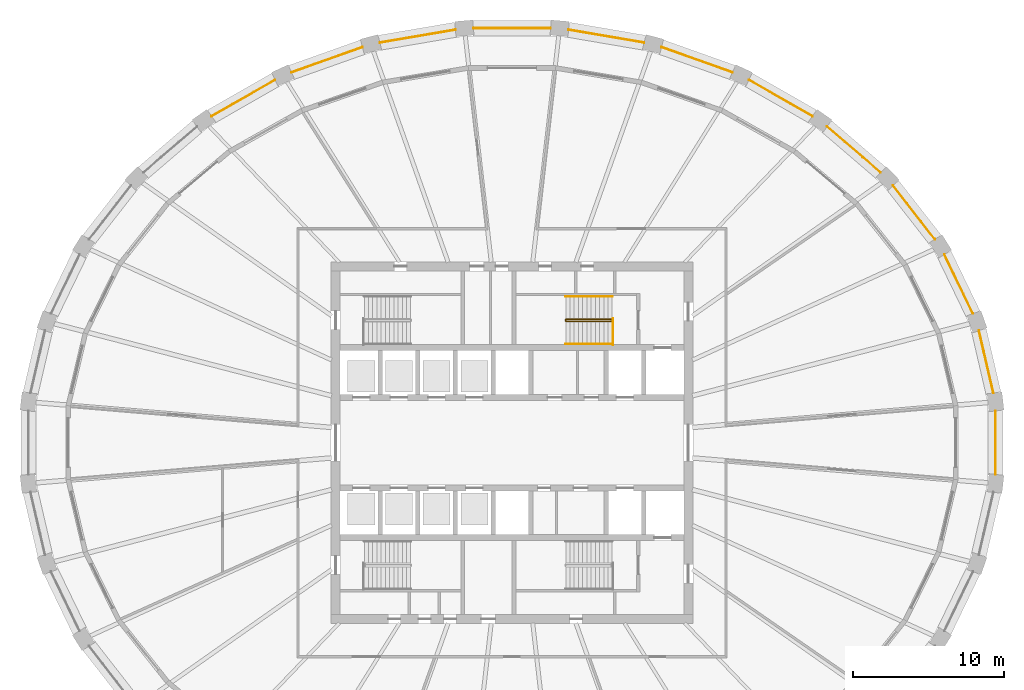
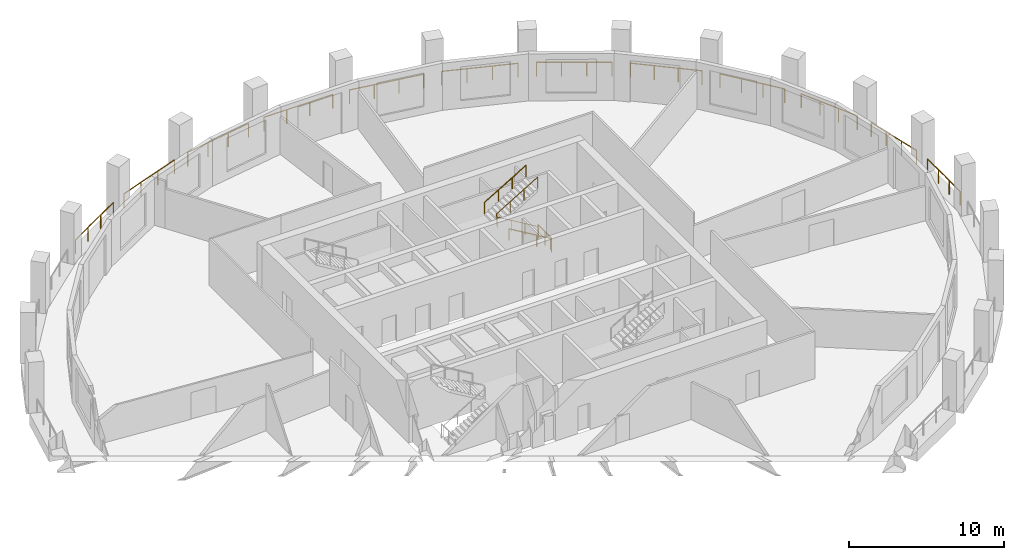
# One storey, part 9 of 10: 16 railings.
"""IFC4 building model written with IfcOpenShell, lengths in metres."""

from ifc_helpers import new_model, si_unit, direction, frame, origin, origin_2d, place, context, subcontext, project, spatial, circle, extrude, material, type_object, element, save


model = new_model("IFC4")

# Units and contexts
model_context = context("Model", 3, precision=1e-05, world=origin(), true_north=direction((0.0, 1.0)))
body_context = subcontext(model_context, "Body", "Model", "MODEL_VIEW")
ifc_project = project(units=[si_unit("LENGTHUNIT", "METRE"), si_unit("AREAUNIT", "SQUARE_METRE"), si_unit("VOLUMEUNIT", "CUBIC_METRE"), si_unit("PLANEANGLEUNIT", "RADIAN"), si_unit("MASSUNIT", "GRAM", prefix="KILO")], contexts=[model_context])

# Site, building, storey
site_placement = place(None, origin())
site = spatial("IfcSite", under=ifc_project, at=site_placement, CompositionType="ELEMENT")
building_placement = place(site_placement, origin())
building = spatial("IfcBuilding", under=site, at=building_placement, Name="Halqa Exchange Tower", CompositionType="ELEMENT")
storey_placement = place(building_placement, frame((0.0, 0.0, 206.89990234375)))
storey = spatial("IfcBuildingStorey", under=building, at=storey_placement, Name="L47", CompositionType="ELEMENT", Elevation=206.89990234375)

# Railings
ifc_material = material(Name="Stainless steel", Category="steel")
railing_type_1 = type_object("IfcRailingType", Name="Guard 1100 stainless steel", PredefinedType="GUARDRAIL", material=ifc_material)
railing_1_placement = place(storey_placement, frame((31.946044921875, 3.29296875, 0.0)))
element("IfcRailing", 1, at=railing_1_placement, inside=storey, type_object=railing_type_1, Name="Loggia guard 1", PredefinedType="GUARDRAIL", context=body_context, shape_type="SweptSolid", body=[
    extrude(circle(Radius=0.02392578125, at=origin_2d()), frame((0.0, 0.0, 1.076171875), z_axis=(-0.226079136725, 0.974108938434, 0.0), x_axis=(-0.974108938434, -0.226079136725, 0.0)), (0.0, 0.0, 1.0), 4.253662109375),
    extrude(circle(Radius=0.02099609375, at=origin_2d()), origin(), (0.0, 0.0, 1.0), 1.052001953125),
    extrude(circle(Radius=0.02099609375, at=origin_2d()), frame((-0.320556640625, 1.381103515625, 0.0)), (0.0, 0.0, 1.0), 1.052001953125),
    extrude(circle(Radius=0.02099609375, at=origin_2d()), frame((-0.64111328125, 2.762451171875, 0.0)), (0.0, 0.0, 1.0), 1.052001953125),
    extrude(circle(Radius=0.02099609375, at=origin_2d()), frame((-0.961669921875, 4.1435546875, 0.0)), (0.0, 0.0, 1.0), 1.052001953125),
])
railing_2_placement = place(storey_placement, frame((30.587646484375, 8.561279296875, 0.0)))
element("IfcRailing", 2, at=railing_2_placement, inside=storey, type_object=railing_type_1, Name="Loggia guard 2", PredefinedType="GUARDRAIL", context=body_context, shape_type="SweptSolid", body=[
    extrude(circle(Radius=0.02392578125, at=origin_2d()), frame((0.0, 0.0, 1.076171875), z_axis=(-0.435117192418, 0.900373827287, 0.0), x_axis=(-0.900373827287, -0.435117192418, 0.0)), (0.0, 0.0, 1.0), 4.35791015625),
    extrude(circle(Radius=0.02099609375, at=origin_2d()), origin(), (0.0, 0.0, 1.0), 1.052001953125),
    extrude(circle(Radius=0.02099609375, at=origin_2d()), frame((-0.632080078125, 1.307861328125, 0.0)), (0.0, 0.0, 1.0), 1.052001953125),
    extrude(circle(Radius=0.02099609375, at=origin_2d()), frame((-1.26416015625, 2.615966796875, 0.0)), (0.0, 0.0, 1.0), 1.052001953125),
    extrude(circle(Radius=0.02099609375, at=origin_2d()), frame((-1.896240234375, 3.923828125, 0.0)), (0.0, 0.0, 1.0), 1.052001953125),
])
railing_3_placement = place(storey_placement, frame((28.061279296875, 13.49853515625, 0.0)))
element("IfcRailing", 3, at=railing_3_placement, inside=storey, type_object=railing_type_1, Name="Loggia guard 3", PredefinedType="GUARDRAIL", context=body_context, shape_type="SweptSolid", body=[
    extrude(circle(Radius=0.02392578125, at=origin_2d()), frame((0.0, 0.0, 1.076171875), z_axis=(-0.614783407659, 0.788695988114, 0.0), x_axis=(-0.788695988114, -0.614783407659, 0.0)), (0.0, 0.0, 1.0), 4.510498046875),
    extrude(circle(Radius=0.02099609375, at=origin_2d()), origin(), (0.0, 0.0, 1.0), 1.052001953125),
    extrude(circle(Radius=0.02099609375, at=origin_2d()), frame((-0.92431640625, 1.185791015625, 0.0)), (0.0, 0.0, 1.0), 1.052001953125),
    extrude(circle(Radius=0.02099609375, at=origin_2d()), frame((-1.8486328125, 2.37158203125, 0.0)), (0.0, 0.0, 1.0), 1.052001953125),
    extrude(circle(Radius=0.02099609375, at=origin_2d()), frame((-2.77294921875, 3.557373046875, 0.0)), (0.0, 0.0, 1.0), 1.052001953125),
])
railing_4_placement = place(storey_placement, frame((24.4638671875, 17.919677734375, 0.0)))
element("IfcRailing", 4, at=railing_4_placement, inside=storey, type_object=railing_type_1, Name="Loggia guard 4", PredefinedType="GUARDRAIL", context=body_context, shape_type="SweptSolid", body=[
    extrude(circle(Radius=0.02392578125, at=origin_2d()), frame((0.0, 0.0, 1.076171875), z_axis=(-0.759241889785, 0.65080853774, 0.0), x_axis=(-0.65080853774, -0.759241889785, 0.0)), (0.0, 0.0, 1.0), 4.685546875),
    extrude(circle(Radius=0.02099609375, at=origin_2d()), origin(), (0.0, 0.0, 1.0), 1.052001953125),
    extrude(circle(Radius=0.02099609375, at=origin_2d()), frame((-1.185791015625, 1.016357421875, 0.0)), (0.0, 0.0, 1.0), 1.052001953125),
    extrude(circle(Radius=0.02099609375, at=origin_2d()), frame((-2.37158203125, 2.032958984375, 0.0)), (0.0, 0.0, 1.0), 1.052001953125),
    extrude(circle(Radius=0.02099609375, at=origin_2d()), frame((-3.557373046875, 3.04931640625, 0.0)), (0.0, 0.0, 1.0), 1.052001953125),
])
railing_5_placement = place(storey_placement, frame((19.93017578125, 21.65771484375, 0.0)))
element("IfcRailing", 5, at=railing_5_placement, inside=storey, type_object=railing_type_1, Name="Loggia guard 5", PredefinedType="GUARDRAIL", context=body_context, shape_type="SweptSolid", body=[
    extrude(circle(Radius=0.02392578125, at=origin_2d()), frame((0.0, 0.0, 1.076171875), z_axis=(-0.867769293608, 0.496967255533, 0.0), x_axis=(-0.496967255533, -0.867769293608, 0.0)), (0.0, 0.0, 1.0), 4.855224609375),
    extrude(circle(Radius=0.02099609375, at=origin_2d()), origin(), (0.0, 0.0, 1.0), 1.052001953125),
    extrude(circle(Radius=0.02099609375, at=origin_2d()), frame((-1.404296875, 0.80419921875, 0.0)), (0.0, 0.0, 1.0), 1.052001953125),
    extrude(circle(Radius=0.02099609375, at=origin_2d()), frame((-2.808837890625, 1.608642578125, 0.0)), (0.0, 0.0, 1.0), 1.052001953125),
    extrude(circle(Radius=0.02099609375, at=origin_2d()), frame((-4.213134765625, 2.412841796875, 0.0)), (0.0, 0.0, 1.0), 1.052001953125),
])
railing_6_placement = place(storey_placement, frame((14.630859375, 24.569580078125, 0.0)))
element("IfcRailing", 6, at=railing_6_placement, inside=storey, type_object=railing_type_1, Name="Loggia guard 6", PredefinedType="GUARDRAIL", context=body_context, shape_type="SweptSolid", body=[
    extrude(circle(Radius=0.02392578125, at=origin_2d()), frame((0.0, 0.0, 1.076171875), z_axis=(-0.942371589738, 0.334568060123, 0.0), x_axis=(-0.334568060123, -0.942371589738, 0.0)), (0.0, 0.0, 1.0), 4.99560546875),
    extrude(circle(Radius=0.02099609375, at=origin_2d()), origin(), (0.0, 0.0, 1.0), 1.052001953125),
    extrude(circle(Radius=0.02099609375, at=origin_2d()), frame((-1.5693359375, 0.55712890625, 0.0)), (0.0, 0.0, 1.0), 1.052001953125),
    extrude(circle(Radius=0.02099609375, at=origin_2d()), frame((-3.138427734375, 1.1142578125, 0.0)), (0.0, 0.0, 1.0), 1.052001953125),
    extrude(circle(Radius=0.02099609375, at=origin_2d()), frame((-4.707763671875, 1.67138671875, 0.0)), (0.0, 0.0, 1.0), 1.052001953125),
])
railing_7_placement = place(storey_placement, frame((8.766357421875, 26.54248046875, 0.0)))
element("IfcRailing", 7, at=railing_7_placement, inside=storey, type_object=railing_type_1, Name="Loggia guard 7", PredefinedType="GUARDRAIL", context=body_context, shape_type="SweptSolid", body=[
    extrude(circle(Radius=0.02392578125, at=origin_2d()), frame((0.0, 0.0, 1.076171875), z_axis=(-0.985769609588, 0.16810198337, 0.0), x_axis=(-0.16810198337, -0.985769609588, 0.0)), (0.0, 0.0, 1.0), 5.087646484375),
    extrude(circle(Radius=0.02099609375, at=origin_2d()), origin(), (0.0, 0.0, 1.0), 1.052001953125),
    extrude(circle(Radius=0.02099609375, at=origin_2d()), frame((-1.671630859375, 0.28515625, 0.0)), (0.0, 0.0, 1.0), 1.052001953125),
    extrude(circle(Radius=0.02099609375, at=origin_2d()), frame((-3.343505859375, 0.570068359375, 0.0)), (0.0, 0.0, 1.0), 1.052001953125),
    extrude(circle(Radius=0.02099609375, at=origin_2d()), frame((-5.01513671875, 0.855224609375, 0.0)), (0.0, 0.0, 1.0), 1.052001953125),
])
railing_8_placement = place(storey_placement, frame((2.559814453125, 27.498291015625, 0.0)))
element("IfcRailing", 8, at=railing_8_placement, inside=storey, type_object=railing_type_1, Name="Loggia guard 8", PredefinedType="GUARDRAIL", context=body_context, shape_type="SweptSolid", body=[
    extrude(circle(Radius=0.02392578125, at=origin_2d()), frame((0.0, 0.0, 1.076171875), z_axis=(-1.0, 0.0, 0.0), x_axis=(0.0, -1.0, 0.0)), (0.0, 0.0, 1.0), 5.11962890625),
    extrude(circle(Radius=0.02099609375, at=origin_2d()), origin(), (0.0, 0.0, 1.0), 1.052001953125),
    extrude(circle(Radius=0.02099609375, at=origin_2d()), frame((-1.70654296875, 0.0, 0.0)), (0.0, 0.0, 1.0), 1.052001953125),
    extrude(circle(Radius=0.02099609375, at=origin_2d()), frame((-3.4130859375, 0.0, 0.0)), (0.0, 0.0, 1.0), 1.052001953125),
    extrude(circle(Radius=0.02099609375, at=origin_2d()), frame((-5.11962890625, 0.0, 0.0)), (0.0, 0.0, 1.0), 1.052001953125),
])
railing_9_placement = place(storey_placement, frame((-3.751220703125, 27.397705078125, 0.0)))
element("IfcRailing", 9, at=railing_9_placement, inside=storey, type_object=railing_type_1, Name="Loggia guard 9", PredefinedType="GUARDRAIL", context=body_context, shape_type="SweptSolid", body=[
    extrude(circle(Radius=0.02392578125, at=origin_2d()), frame((0.0, 0.0, 1.076171875), z_axis=(-0.985769609588, -0.16810198337, 0.0), x_axis=(0.16810198337, -0.985769609588, 0.0)), (0.0, 0.0, 1.0), 5.087646484375),
    extrude(circle(Radius=0.02099609375, at=origin_2d()), origin(), (0.0, 0.0, 1.0), 1.052001953125),
    extrude(circle(Radius=0.02099609375, at=origin_2d()), frame((-1.671630859375, -0.28515625, 0.0)), (0.0, 0.0, 1.0), 1.052001953125),
    extrude(circle(Radius=0.02099609375, at=origin_2d()), frame((-3.343505859375, -0.570068359375, 0.0)), (0.0, 0.0, 1.0), 1.052001953125),
    extrude(circle(Radius=0.02099609375, at=origin_2d()), frame((-5.01513671875, -0.855224609375, 0.0)), (0.0, 0.0, 1.0), 1.052001953125),
])
railing_10_placement = place(storey_placement, frame((-9.923095703125, 26.240966796875, 0.0)))
element("IfcRailing", 10, at=railing_10_placement, inside=storey, type_object=railing_type_1, Name="Loggia guard 10", PredefinedType="GUARDRAIL", context=body_context, shape_type="SweptSolid", body=[
    extrude(circle(Radius=0.02392578125, at=origin_2d()), frame((0.0, 0.0, 1.076171875), z_axis=(-0.942371589738, -0.334568060123, 0.0), x_axis=(0.334568060123, -0.942371589738, 0.0)), (0.0, 0.0, 1.0), 4.99560546875),
    extrude(circle(Radius=0.02099609375, at=origin_2d()), origin(), (0.0, 0.0, 1.0), 1.052001953125),
    extrude(circle(Radius=0.02099609375, at=origin_2d()), frame((-1.5693359375, -0.55712890625, 0.0)), (0.0, 0.0, 1.0), 1.052001953125),
    extrude(circle(Radius=0.02099609375, at=origin_2d()), frame((-3.138427734375, -1.1142578125, 0.0)), (0.0, 0.0, 1.0), 1.052001953125),
    extrude(circle(Radius=0.02099609375, at=origin_2d()), frame((-4.707763671875, -1.67138671875, 0.0)), (0.0, 0.0, 1.0), 1.052001953125),
])
railing_11_placement = place(storey_placement, frame((-15.717041015625, 24.070556640625, 0.0)))
element("IfcRailing", 11, at=railing_11_placement, inside=storey, type_object=railing_type_1, Name="Loggia guard 11", PredefinedType="GUARDRAIL", context=body_context, shape_type="SweptSolid", body=[
    extrude(circle(Radius=0.02392578125, at=origin_2d()), frame((0.0, 0.0, 1.076171875), z_axis=(-0.867769293608, -0.496967255533, 0.0), x_axis=(0.496967255533, -0.867769293608, 0.0)), (0.0, 0.0, 1.0), 4.855224609375),
    extrude(circle(Radius=0.02099609375, at=origin_2d()), origin(), (0.0, 0.0, 1.0), 1.052001953125),
    extrude(circle(Radius=0.02099609375, at=origin_2d()), frame((-1.404296875, -0.80419921875, 0.0)), (0.0, 0.0, 1.0), 1.052001953125),
    extrude(circle(Radius=0.02099609375, at=origin_2d()), frame((-2.808837890625, -1.608642578125, 0.0)), (0.0, 0.0, 1.0), 1.052001953125),
    extrude(circle(Radius=0.02099609375, at=origin_2d()), frame((-4.213134765625, -2.412841796875, 0.0)), (0.0, 0.0, 1.0), 1.052001953125),
])
railing_12_placement = place(storey_placement, frame((32.08154296875, -2.1083984375, 0.0)))
element("IfcRailing", 12, at=railing_12_placement, inside=storey, type_object=railing_type_1, Name="Loggia guard 32", PredefinedType="GUARDRAIL", context=body_context, shape_type="SweptSolid", body=[
    extrude(circle(Radius=0.02392578125, at=origin_2d()), frame((0.0, 0.0, 1.076171875), z_axis=(0.0, 1.0, 0.0), x_axis=(-1.0, 0.0, 0.0)), (0.0, 0.0, 1.0), 4.216796875),
    extrude(circle(Radius=0.02099609375, at=origin_2d()), origin(), (0.0, 0.0, 1.0), 1.052001953125),
    extrude(circle(Radius=0.02099609375, at=origin_2d()), frame((0.0, 1.405517578125, 0.0)), (0.0, 0.0, 1.0), 1.052001953125),
    extrude(circle(Radius=0.02099609375, at=origin_2d()), frame((0.0, 2.811279296875, 0.0)), (0.0, 0.0, 1.0), 1.052001953125),
    extrude(circle(Radius=0.02099609375, at=origin_2d()), frame((0.0, 4.216796875, 0.0)), (0.0, 0.0, 1.0), 1.052001953125),
])
railing_type_2 = type_object("IfcRailingType", Name="Stair handrail 900", PredefinedType="HANDRAIL", material=ifc_material)
railing_13_placement = place(storey_placement, frame((6.64990234375, 8.06005859375, 0.166748046875)))
element("IfcRailing", 13, at=railing_13_placement, inside=storey, type_object=railing_type_2, Name="Handrail ST2.1", PredefinedType="HANDRAIL", context=body_context, shape_type="SweptSolid", body=[
    extrude(circle(Radius=0.02392578125, at=origin_2d()), frame((0.0, 0.0, 0.8759765625), z_axis=(-0.859290745958, 0.0, 0.51148745235), x_axis=(0.0, -1.0, 0.0)), (0.0, 0.0, 1.0), 3.584228515625),
    extrude(circle(Radius=0.02392578125, at=origin_2d()), frame((-3.079833984375, 0.0, 2.708984375), z_axis=(0.0, 0.614500226555, 0.788916644243), x_axis=(-1.0, 0.0, 0.0)), (0.0, 0.0, 1.0), 0.21142578125),
    extrude(circle(Radius=0.02392578125, at=origin_2d()), frame((-3.079833984375, 0.1298828125, 2.8759765625), z_axis=(0.859290745958, 0.0, 0.51148745235), x_axis=(0.0, 1.0, 0.0)), (0.0, 0.0, 1.0), 3.584228515625),
    extrude(circle(Radius=0.02099609375, at=origin_2d()), origin(), (0.0, 0.0, 1.0), 0.851806640625),
    extrude(circle(Radius=0.02099609375, at=origin_2d()), frame((-1.026611328125, 0.0, 0.611083984375)), (0.0, 0.0, 1.0), 0.851806640625),
    extrude(circle(Radius=0.02099609375, at=origin_2d()), frame((-2.05322265625, 0.0, 1.22216796875)), (0.0, 0.0, 1.0), 0.851806640625),
    extrude(circle(Radius=0.02099609375, at=origin_2d()), frame((-3.079833984375, 0.0, 1.833251953125)), (0.0, 0.0, 1.0), 0.851806640625),
    extrude(circle(Radius=0.02099609375, at=origin_2d()), frame((-3.079833984375, 0.1298828125, 2.0)), (0.0, 0.0, 1.0), 0.851806640625),
    extrude(circle(Radius=0.02099609375, at=origin_2d()), frame((-2.05322265625, 0.1298828125, 2.611083984375)), (0.0, 0.0, 1.0), 0.851806640625),
    extrude(circle(Radius=0.02099609375, at=origin_2d()), frame((-1.026611328125, 0.1298828125, 3.22216796875)), (0.0, 0.0, 1.0), 0.851806640625),
    extrude(circle(Radius=0.02099609375, at=origin_2d()), frame((0.0, 0.1298828125, 3.833251953125)), (0.0, 0.0, 1.0), 0.851806640625),
])
railing_14_placement = place(storey_placement, frame((6.64990234375, 6.550048828125, 0.166748046875)))
element("IfcRailing", 14, at=railing_14_placement, inside=storey, type_object=railing_type_2, Name="Handrail ST2.2", PredefinedType="HANDRAIL", context=body_context, shape_type="SweptSolid", body=[
    extrude(circle(Radius=0.02392578125, at=origin_2d()), frame((0.0, 0.0, 0.8759765625), z_axis=(-0.859290745958, 0.0, 0.51148745235), x_axis=(0.0, -1.0, 0.0)), (0.0, 0.0, 1.0), 3.584228515625),
    extrude(circle(Radius=0.02099609375, at=origin_2d()), origin(), (0.0, 0.0, 1.0), 0.851806640625),
    extrude(circle(Radius=0.02099609375, at=origin_2d()), frame((-1.026611328125, 0.0, 0.611083984375)), (0.0, 0.0, 1.0), 0.851806640625),
    extrude(circle(Radius=0.02099609375, at=origin_2d()), frame((-2.05322265625, 0.0, 1.22216796875)), (0.0, 0.0, 1.0), 0.851806640625),
    extrude(circle(Radius=0.02099609375, at=origin_2d()), frame((-3.079833984375, 0.0, 1.833251953125)), (0.0, 0.0, 1.0), 0.851806640625),
])
railing_15_placement = place(storey_placement, frame((3.570068359375, 9.699951171875, 2.166748046875)))
element("IfcRailing", 15, at=railing_15_placement, inside=storey, type_object=railing_type_2, Name="Handrail ST2.3", PredefinedType="HANDRAIL", context=body_context, shape_type="SweptSolid", body=[
    extrude(circle(Radius=0.02392578125, at=origin_2d()), frame((0.0, 0.0, 0.8759765625), z_axis=(0.859290745958, 0.0, 0.51148745235), x_axis=(0.0, 1.0, 0.0)), (0.0, 0.0, 1.0), 3.584228515625),
    extrude(circle(Radius=0.02099609375, at=origin_2d()), origin(), (0.0, 0.0, 1.0), 0.851806640625),
    extrude(circle(Radius=0.02099609375, at=origin_2d()), frame((1.026611328125, 0.0, 0.611083984375)), (0.0, 0.0, 1.0), 0.851806640625),
    extrude(circle(Radius=0.02099609375, at=origin_2d()), frame((2.05322265625, 0.0, 1.22216796875)), (0.0, 0.0, 1.0), 0.851806640625),
    extrude(circle(Radius=0.02099609375, at=origin_2d()), frame((3.079833984375, 0.0, 1.833251953125)), (0.0, 0.0, 1.0), 0.851806640625),
])
railing_type_3 = type_object("IfcRailingType", Name="Stair well guard 1100", PredefinedType="GUARDRAIL", material=ifc_material)
railing_16_placement = place(storey_placement, frame((6.699951171875, 6.5, 0.0)))
element("IfcRailing", 16, at=railing_16_placement, inside=storey, type_object=railing_type_3, Name="Guard ST2 well", PredefinedType="GUARDRAIL", context=body_context, shape_type="SweptSolid", body=[
    extrude(circle(Radius=0.02392578125, at=origin_2d()), frame((0.0, 0.0, 1.076171875), z_axis=(0.0, 1.0, 0.0), x_axis=(-1.0, 0.0, 0.0)), (0.0, 0.0, 1.0), 1.75),
    extrude(circle(Radius=0.02099609375, at=origin_2d()), origin(), (0.0, 0.0, 1.0), 1.052001953125),
    extrude(circle(Radius=0.02099609375, at=origin_2d()), frame((0.0, 0.875, 0.0)), (0.0, 0.0, 1.0), 1.052001953125),
    extrude(circle(Radius=0.02099609375, at=origin_2d()), frame((0.0, 1.75, 0.0)), (0.0, 0.0, 1.0), 1.052001953125),
])

save(model, "model.ifc")
